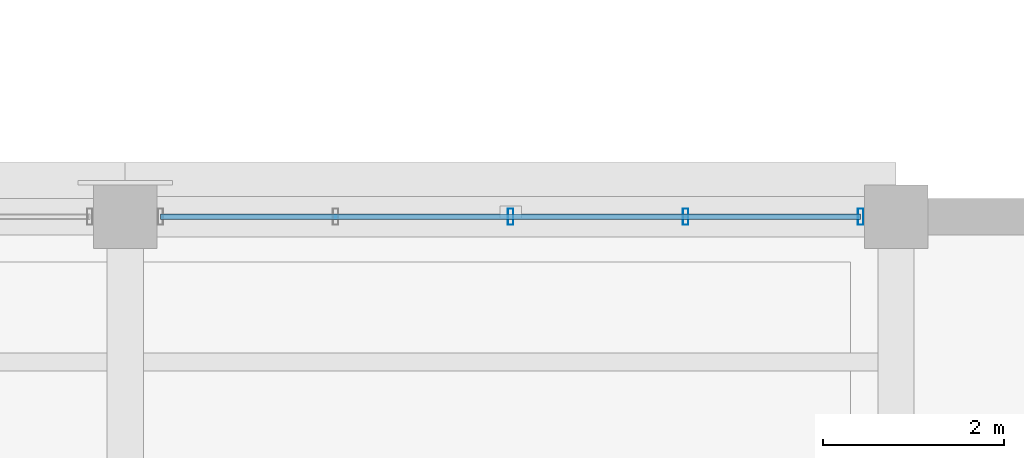
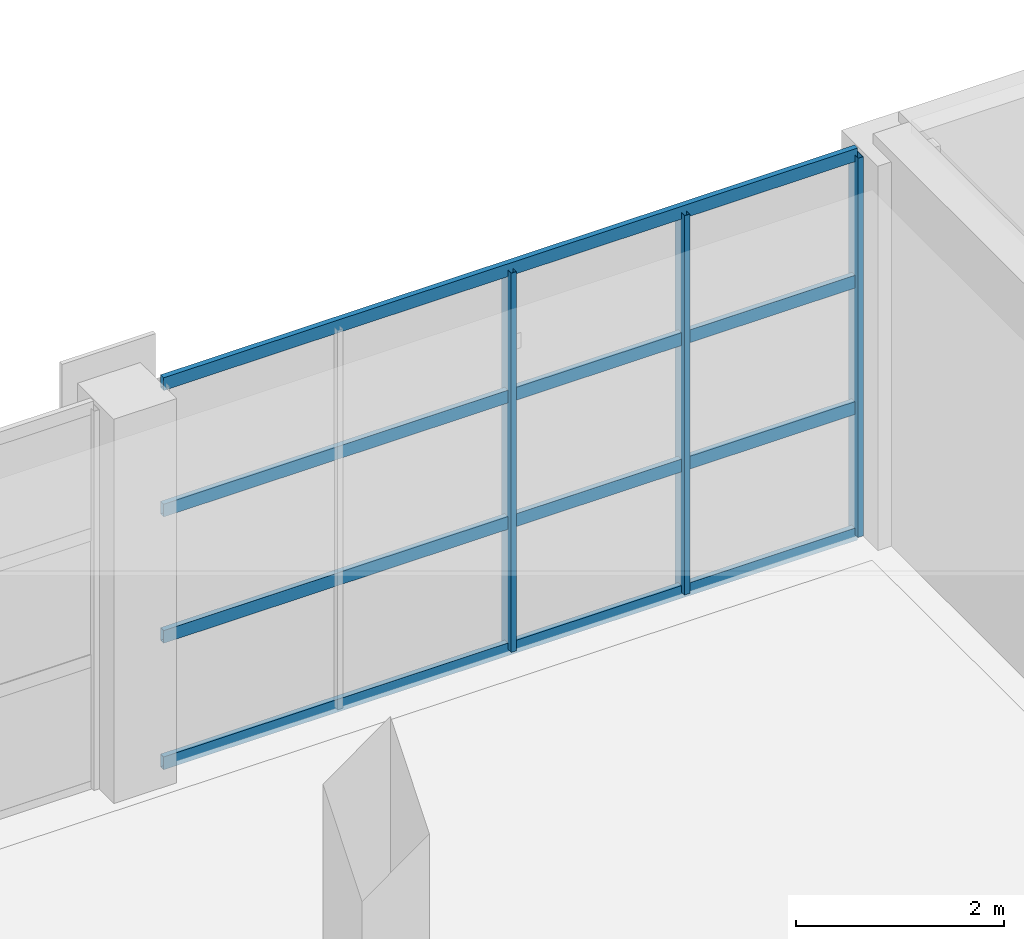
# One storey, part 31 of 112: 7 members, 1 element without a shape of its own.
"""IFC4 building model written with IfcOpenShell, lengths in metres."""

from ifc_helpers import new_model, si_unit, direction, frame, origin, origin_2d, place, context, subcontext, project, spatial, hollow_rectangle, extrude, material, material_profile, profile_set, type_object, element, aggregate, save


model = new_model("IFC4")

# Units and contexts
model_context = context("Model", 3, precision=1e-05, world=origin(), true_north=direction((0.0, 1.0)))
body_context = subcontext(model_context, "Body", "Model", "MODEL_VIEW")
ifc_project = project(units=[si_unit("LENGTHUNIT", "METRE"), si_unit("AREAUNIT", "SQUARE_METRE"), si_unit("VOLUMEUNIT", "CUBIC_METRE"), si_unit("PLANEANGLEUNIT", "RADIAN"), si_unit("MASSUNIT", "GRAM", prefix="KILO")], contexts=[model_context])

# Site, building, storey
site_placement = place(None, origin())
site = spatial("IfcSite", under=ifc_project, at=site_placement, CompositionType="ELEMENT")
building_placement = place(site_placement, origin())
building = spatial("IfcBuilding", under=site, at=building_placement, Name="Solvikara Media Centre", CompositionType="ELEMENT")
storey_placement = place(building_placement, frame((0.0, 0.0, 5.39990234375)))
storey = spatial("IfcBuildingStorey", under=building, at=storey_placement, Name="L01", CompositionType="ELEMENT", Elevation=5.39990234375)

# Curtain wall, members
ifc_material = material(Name="Anodised aluminium EN AW-6063", Category="aluminium")
curtain_wall_type = type_object("IfcCurtainWallType", Name="CW-05", PredefinedType="NOTDEFINED", material=ifc_material)
curtain_wall_placement = place(storey_placement, origin())
curtain_wall = element("IfcCurtainWall", 1, at=curtain_wall_placement, inside=storey, type_object=curtain_wall_type, Name="CW-L01-V6N-3", PredefinedType="NOTDEFINED")
ifc_material_profile_1 = material_profile(ifc_material, hollow_rectangle(XDim=0.06005859375, YDim=0.179931640625, WallThickness=0.00341796875, at=origin_2d()), Name="ALU-M 60x180x3.5")
ifc_profile_set_1 = profile_set([ifc_material_profile_1], Name="Anodised aluminium EN AW-6063")
member_type_1 = type_object("IfcMemberType", Name="MF-03", PredefinedType="MULLION", material=ifc_profile_set_1)
member_1_placement = place(storey_placement, frame((63.75, 36.800048828125, 0.02001953125), z_axis=(0.0, 0.0, 1.0), x_axis=(1.0, 0.0, 0.0)))
member_1 = element("IfcMember", 2, at=member_1_placement, type_object=member_type_1, Name="CW-L01-V6N-3-M02", PredefinedType="MULLION", context=body_context, shape_type="SweptSolid", body=[
    extrude(hollow_rectangle(XDim=0.06005859375, YDim=0.179931640625, WallThickness=0.00341796875, at=origin_2d()), origin(), (0.0, 0.0, 1.0), 4.4599609375),
])
member_2_placement = place(storey_placement, frame((65.679931640625, 36.800048828125, 0.02001953125), z_axis=(0.0, 0.0, 1.0), x_axis=(1.0, 0.0, 0.0)))
member_2 = element("IfcMember", 3, at=member_2_placement, type_object=member_type_1, Name="CW-L01-V6N-3-M03", PredefinedType="MULLION", context=body_context, shape_type="SweptSolid", body=[
    extrude(hollow_rectangle(XDim=0.06005859375, YDim=0.179931640625, WallThickness=0.00341796875, at=origin_2d()), origin(), (0.0, 0.0, 1.0), 4.4599609375),
])
member_3_placement = place(storey_placement, frame((67.610107421875, 36.800048828125, 0.02001953125), z_axis=(0.0, 0.0, 1.0), x_axis=(1.0, 0.0, 0.0)))
member_3 = element("IfcMember", 4, at=member_3_placement, type_object=member_type_1, Name="CW-L01-V6N-3-M04", PredefinedType="MULLION", context=body_context, shape_type="SweptSolid", body=[
    extrude(hollow_rectangle(XDim=0.06005859375, YDim=0.179931640625, WallThickness=0.00341796875, at=origin_2d()), origin(), (0.0, 0.0, 1.0), 4.4599609375),
])
ifc_material_profile_2 = material_profile(ifc_material, hollow_rectangle(XDim=0.06005859375, YDim=0.14990234375, WallThickness=0.0029296875, at=origin_2d()), Name="ALU-T 60x150x3")
ifc_profile_set_2 = profile_set([ifc_material_profile_2], Name="Anodised aluminium EN AW-6063")
member_type_2 = type_object("IfcMemberType", Name="MF-09", PredefinedType="USERDEFINED", material=ifc_profile_set_2)
member_4_placement = place(storey_placement, frame((59.889892578125, 36.800048828125, 0.02001953125), z_axis=(1.0, 0.0, 0.0), x_axis=(0.0, 1.0, 0.0)))
member_4 = element("IfcMember", 5, at=member_4_placement, type_object=member_type_2, Name="CW-L01-V6N-3-T00", ObjectType="TRANSOM", PredefinedType="USERDEFINED", context=body_context, shape_type="SweptSolid", body=[
    extrude(hollow_rectangle(XDim=0.06005859375, YDim=0.14990234375, WallThickness=0.0029296875, at=origin_2d()), origin(), (0.0, 0.0, 1.0), 7.72021484375),
])
member_5_placement = place(storey_placement, frame((59.889892578125, 36.800048828125, 1.507080078125), z_axis=(1.0, 0.0, 0.0), x_axis=(0.0, 1.0, 0.0)))
member_5 = element("IfcMember", 6, at=member_5_placement, type_object=member_type_2, Name="CW-L01-V6N-3-T01", ObjectType="TRANSOM", PredefinedType="USERDEFINED", context=body_context, shape_type="SweptSolid", body=[
    extrude(hollow_rectangle(XDim=0.06005859375, YDim=0.14990234375, WallThickness=0.0029296875, at=origin_2d()), origin(), (0.0, 0.0, 1.0), 7.72021484375),
])
member_6_placement = place(storey_placement, frame((59.889892578125, 36.800048828125, 2.9931640625), z_axis=(1.0, 0.0, 0.0), x_axis=(0.0, 1.0, 0.0)))
member_6 = element("IfcMember", 7, at=member_6_placement, type_object=member_type_2, Name="CW-L01-V6N-3-T02", ObjectType="TRANSOM", PredefinedType="USERDEFINED", context=body_context, shape_type="SweptSolid", body=[
    extrude(hollow_rectangle(XDim=0.06005859375, YDim=0.14990234375, WallThickness=0.0029296875, at=origin_2d()), origin(), (0.0, 0.0, 1.0), 7.72021484375),
])
member_7_placement = place(storey_placement, frame((59.889892578125, 36.800048828125, 4.47998046875), z_axis=(1.0, 0.0, 0.0), x_axis=(0.0, 1.0, 0.0)))
member_7 = element("IfcMember", 8, at=member_7_placement, type_object=member_type_2, Name="CW-L01-V6N-3-T03", ObjectType="TRANSOM", PredefinedType="USERDEFINED", context=body_context, shape_type="SweptSolid", body=[
    extrude(hollow_rectangle(XDim=0.06005859375, YDim=0.14990234375, WallThickness=0.0029296875, at=origin_2d()), origin(), (0.0, 0.0, 1.0), 7.72021484375),
])
aggregate(curtain_wall, [member_1, member_2, member_3, member_4, member_5, member_6, member_7])

save(model, "model.ifc")
